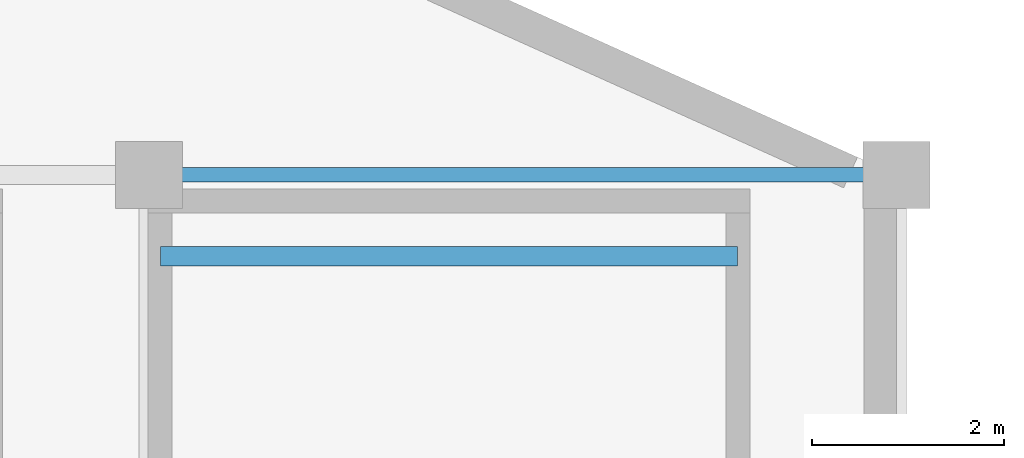
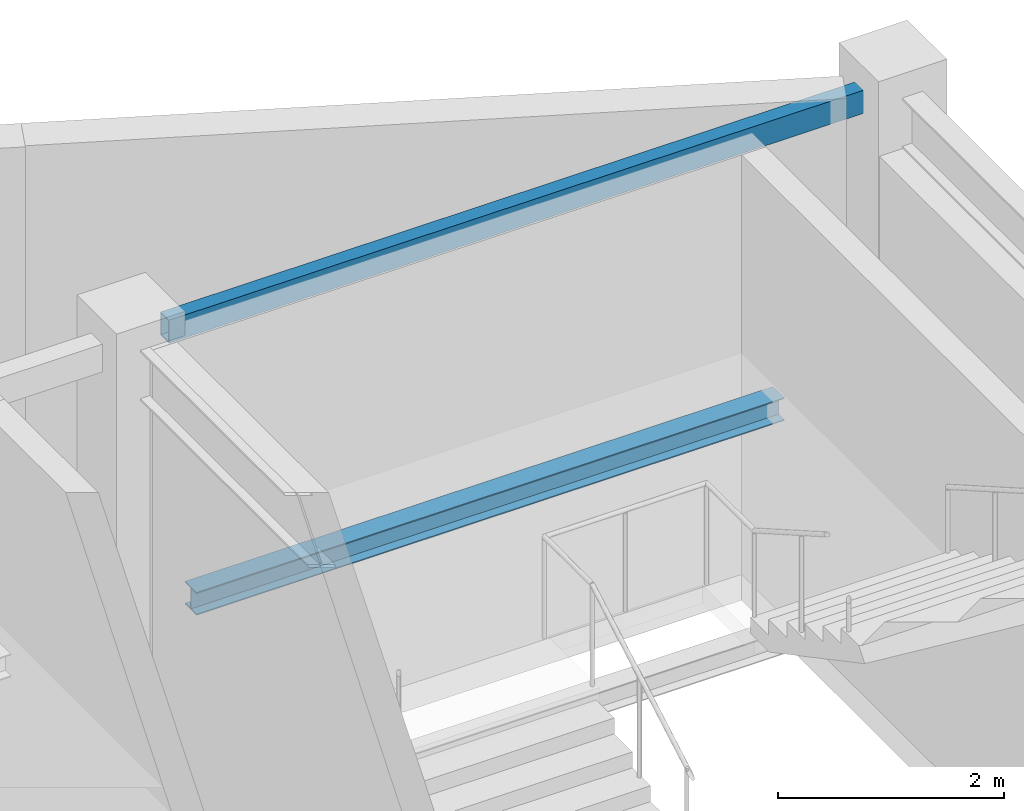
# One storey, part 49 of 72: 2 beams.
"""IFC4 building model written with IfcOpenShell, lengths in metres."""

from ifc_helpers import new_model, si_unit, direction, frame, origin, origin_2d, place, context, subcontext, project, spatial, hollow_rectangle, i_section, extrude, material, material_profile, profile_set, type_object, element, save


model = new_model("IFC4")

# Units and contexts
model_context = context("Model", 3, precision=1e-05, world=origin(), true_north=direction((0.0, 1.0)))
body_context = subcontext(model_context, "Body", "Model", "MODEL_VIEW")
ifc_project = project(units=[si_unit("LENGTHUNIT", "METRE"), si_unit("AREAUNIT", "SQUARE_METRE"), si_unit("VOLUMEUNIT", "CUBIC_METRE"), si_unit("PLANEANGLEUNIT", "RADIAN"), si_unit("MASSUNIT", "GRAM", prefix="KILO")], contexts=[model_context])

# Site, building, storey
site_placement = place(None, origin())
site = spatial("IfcSite", under=ifc_project, at=site_placement, CompositionType="ELEMENT")
building_placement = place(site_placement, origin())
building = spatial("IfcBuilding", under=site, at=building_placement, Name="Xicomal Pleat Aquarium", CompositionType="ELEMENT")
storey_placement = place(building_placement, frame((0.0, 0.0, 10.5)))
storey = spatial("IfcBuildingStorey", under=building, at=storey_placement, Name="L03", CompositionType="ELEMENT", Elevation=10.5)

# Beams
ifc_material_1 = material(Name="Structural steel A992 Gr 50", Category="steel")
ifc_material_profile_1 = material_profile(ifc_material_1, i_section(OverallWidth=0.201904296875, OverallDepth=0.2470703125, WebThickness=0.00732421875, FlangeThickness=0.010986328125, at=origin_2d()), Name="IR 250x49")
ifc_profile_set_1 = profile_set([ifc_material_profile_1], Name="Structural steel A992 Gr 50")
beam_type_1 = type_object("IfcBeamType", Name="BM-STL-IR250", PredefinedType="JOIST", material=ifc_profile_set_1)
beam_1_placement = place(storey_placement, frame((149.52001953125, 97.550048828125, 2.0791015625), z_axis=(1.0, 0.0, 0.0), x_axis=(0.0, 1.0, 0.0)))
element("IfcBeam", 1, at=beam_1_placement, inside=storey, type_object=beam_type_1, Name="ST-06-L03 half-landing bearer beam 1", PredefinedType="JOIST", context=body_context, shape_type="SweptSolid", body=[
    extrude(i_section(OverallWidth=0.201904296875, OverallDepth=0.2470703125, WebThickness=0.00732421875, FlangeThickness=0.010986328125, at=origin_2d()), origin(), (0.0, 0.0, 1.0), 6.02001953125),
])
ifc_material_2 = material(Name="Structural steel A500 Gr C", Category="steel")
ifc_material_profile_2 = material_profile(ifc_material_2, hollow_rectangle(XDim=0.14990234375, YDim=0.25, WallThickness=0.010009765625, at=origin_2d()), Name="OR 250x150x10")
ifc_profile_set_2 = profile_set([ifc_material_profile_2], Name="Structural steel A500 Gr C")
beam_type_2 = type_object("IfcBeamType", Name="BM-STL-OR250", PredefinedType="SPANDREL", material=ifc_profile_set_2)
beam_2_placement = place(storey_placement, frame((149.7451171875, 98.39990234375, 4.4150390625), z_axis=(1.0, 0.0, 0.0), x_axis=(0.0, 1.0, 0.0)))
element("IfcBeam", 2, at=beam_2_placement, inside=storey, type_object=beam_type_2, Name="L03 framing beam FGX-L03-19-20-P", PredefinedType="SPANDREL", context=body_context, shape_type="SweptSolid", body=[
    extrude(hollow_rectangle(XDim=0.14990234375, YDim=0.25, WallThickness=0.010009765625, at=origin_2d()), origin(), (0.0, 0.0, 1.0), 7.10986328125),
])

save(model, "model.ifc")
